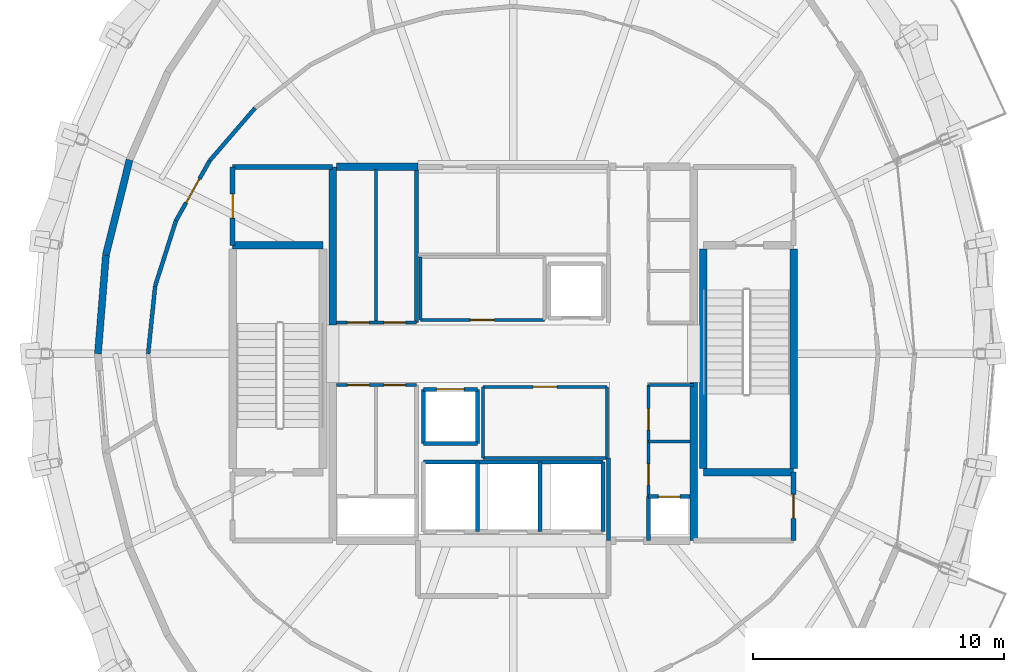
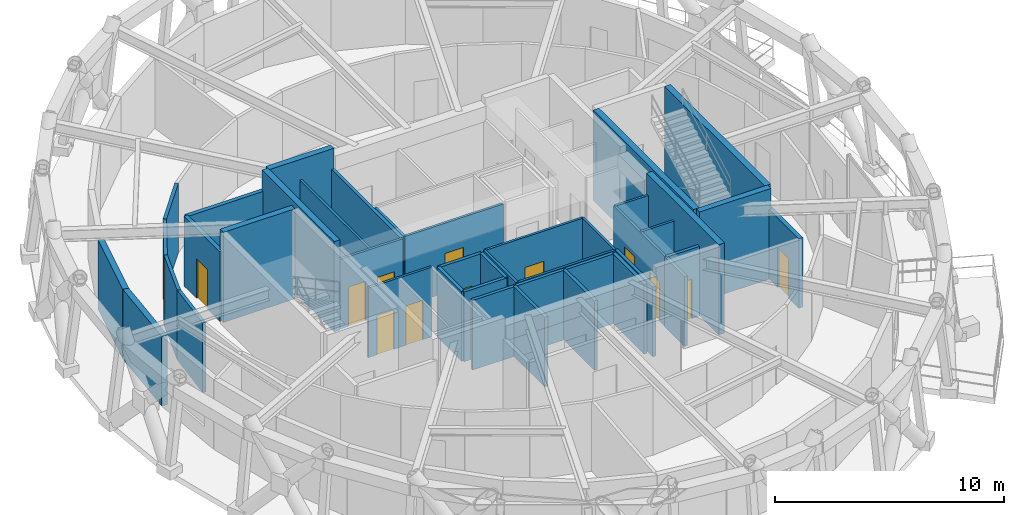
# One storey, part 8 of 11: 40 walls, 13 doors, 13 openings.
"""IFC4 building model written with IfcOpenShell, lengths in metres."""

from ifc_helpers import new_model, si_unit, direction, frame, frame_2d, origin, place, context, subcontext, project, spatial, rectangle, extrude, material, layer, layer_set, type_object, element, fill, save


model = new_model("IFC4")

# Units and contexts
model_context = context("Model", 3, precision=1e-05, world=origin(), true_north=direction((0.0, 1.0)))
body_context = subcontext(model_context, "Body", "Model", "MODEL_VIEW")
ifc_project = project(units=[si_unit("LENGTHUNIT", "METRE"), si_unit("AREAUNIT", "SQUARE_METRE"), si_unit("VOLUMEUNIT", "CUBIC_METRE"), si_unit("PLANEANGLEUNIT", "RADIAN"), si_unit("MASSUNIT", "GRAM", prefix="KILO")], contexts=[model_context])

# Site, building, storey
site_placement = place(None, origin())
site = spatial("IfcSite", under=ifc_project, at=site_placement, CompositionType="ELEMENT")
building_placement = place(site_placement, origin())
building = spatial("IfcBuilding", under=site, at=building_placement, Name="Veldorina Hangang Commons", CompositionType="ELEMENT")
storey_placement = place(building_placement, frame((0.0, 0.0, 297.60009765625)))
storey = spatial("IfcBuildingStorey", under=building, at=storey_placement, Name="L78", CompositionType="ELEMENT", Elevation=297.60009765625)

# Walls
ifc_material_1 = material(Name="Concrete C50/60", Category="concrete")
ifc_layer_1 = layer(ifc_material_1, 0.300048828125)
ifc_layer_set_1 = layer_set([ifc_layer_1], Name="Concrete C50/60")
wall_type_1 = type_object("IfcWallType", Name="CW-RC300-C50", PredefinedType="SHEAR", material=ifc_layer_set_1)
for number, where, z_axis, x_axis, name in (
    (1, (24.800048828125, 25.14990234375, 0.0), (0.0, 0.0, 1.0), (0.0, 1.0, 0.0), "L78 W north core shear wall"),
    (2, (39.199951171875, 16.550048828125, 0.0), (0.0, 0.0, 1.0), (0.0, 1.0, 0.0), "L78 E south core shear wall"),
):
    element("IfcWall", number, at=place(storey_placement, frame(where, z_axis=z_axis, x_axis=x_axis)), inside=storey, type_object=wall_type_1, Name=name, PredefinedType="SHEAR", context=body_context, shape_type="SweptSolid", body=[
        extrude(rectangle(XDim=6.300048828125, YDim=0.300048828125, at=frame_2d((3.14990234375, 0.0))), origin(), (0.0, 0.0, 1.0), 4.7998046875),
    ])
wall_1_placement = place(storey_placement, frame((24.949951171875, 31.449951171875, 0.0), z_axis=(0.0, 0.0, 1.0), x_axis=(1.0, 0.0, 0.0)))
element("IfcWall", 3, at=wall_1_placement, inside=storey, type_object=wall_type_1, Name="L78 north-west core shear wall", PredefinedType="SHEAR", context=body_context, shape_type="SweptSolid", body=[
    extrude(rectangle(XDim=3.25, YDim=0.300048828125, at=frame_2d((1.625, 0.0))), origin(), (0.0, 0.0, 1.0), 4.7998046875),
])
ifc_material_2 = material(Name="Stone Roman Travertine", Category="masonry")
ifc_layer_2 = layer(ifc_material_2, 0.280029296875)
ifc_layer_set_2 = layer_set([ifc_layer_2], Name="Stone Roman Travertine")
wall_type_2 = type_object("IfcWallType", Name="EW-TRAV-280", PredefinedType="STANDARD", material=ifc_layer_set_2)
wall_2_placement = place(storey_placement, frame((16.709716796875, 31.730224609375, 0.0), z_axis=(0.0, 0.0, 1.0), x_axis=(-0.241167143082, -0.970483595481, 0.0)))
element("IfcWall", 4, at=wall_2_placement, inside=storey, type_object=wall_type_2, Name="L78 travertine facade wall 14", PredefinedType="STANDARD", context=body_context, shape_type="SweptSolid", body=[
    extrude(rectangle(XDim=3.904541015625, YDim=0.280029296875, at=frame_2d((1.9521484375, 0.0))), origin(), (0.0, 0.0, 1.0), 3.7099609375),
])
wall_3_placement = place(storey_placement, frame((15.76806640625, 27.94091796875, 0.0), z_axis=(0.0, 0.0, 1.0), x_axis=(-0.080459393336, -0.996757887365, 0.0)))
element("IfcWall", 5, at=wall_3_placement, inside=storey, type_object=wall_type_2, Name="L78 travertine facade wall 15", PredefinedType="STANDARD", context=body_context, shape_type="SweptSolid", body=[
    extrude(rectangle(XDim=3.953857421875, YDim=0.280029296875, at=frame_2d((1.97705078125, 0.0))), origin(), (0.0, 0.0, 1.0), 3.7099609375),
])
ifc_layer_3 = layer(ifc_material_1, 0.300048828125)
ifc_layer_set_3 = layer_set([ifc_layer_3], Name="Concrete C50/60")
wall_type_3 = type_object("IfcWallType", Name="SW-STAIR-300", PredefinedType="SHEAR", material=ifc_layer_set_3)
wall_4_placement = place(storey_placement, frame((20.820068359375, 28.320068359375, 0.0), z_axis=(0.0, 0.0, 1.0), x_axis=(1.0, 0.0, 0.0)))
element("IfcWall", 6, at=wall_4_placement, inside=storey, type_object=wall_type_3, Name="L78 ST1 north stair shear wall", PredefinedType="SHEAR", context=body_context, shape_type="SweptSolid", body=[
    extrude(rectangle(XDim=3.599853515625, YDim=0.300048828125, at=frame_2d((1.7998046875, 0.0))), origin(), (0.0, 0.0, 1.0), 4.7998046875),
])
for number, where, z_axis, x_axis, name in (
    (7, (43.179931640625, 19.429931640625, 0.0), (0.0, 0.0, 1.0), (0.0, 1.0, 0.0), "L78 ST2 outer stair shear wall"),
    (8, (39.580078125, 19.429931640625, 0.0), (0.0, 0.0, 1.0), (0.0, 1.0, 0.0), "L78 ST2 inner stair shear wall"),
):
    element("IfcWall", number, at=place(storey_placement, frame(where, z_axis=z_axis, x_axis=x_axis)), inside=storey, type_object=wall_type_3, Name=name, PredefinedType="SHEAR", context=body_context, shape_type="SweptSolid", body=[
        extrude(rectangle(XDim=8.739990234375, YDim=0.300048828125, at=frame_2d((4.3701171875, 0.0))), origin(), (0.0, 0.0, 1.0), 4.7998046875),
    ])
wall_5_placement = place(storey_placement, frame((39.580078125, 19.280029296875, 0.0), z_axis=(0.0, 0.0, 1.0), x_axis=(1.0, 0.0, 0.0)))
element("IfcWall", 9, at=wall_5_placement, inside=storey, type_object=wall_type_3, Name="L78 ST2 south stair shear wall", PredefinedType="SHEAR", context=body_context, shape_type="SweptSolid", body=[
    extrude(rectangle(XDim=3.599853515625, YDim=0.300048828125, at=frame_2d((1.7998046875, 0.0))), origin(), (0.0, 0.0, 1.0), 4.7998046875),
])
ifc_material_3 = material(Name="Gypsum Fire-Rated Twin Stud Wall", Category="gypsum")
ifc_layer_4 = layer(ifc_material_3, 0.159912109375)
ifc_layer_set_4 = layer_set([ifc_layer_4], Name="Gypsum Fire-Rated Twin Stud Wall")
wall_type_4 = type_object("IfcWallType", Name="WL-FIRE-160", PredefinedType="SOLIDWALL", material=ifc_layer_set_4)
wall_6_placement = place(storey_placement, frame((35.800048828125, 16.550048828125, 0.0), z_axis=(0.0, 0.0, 1.0), x_axis=(0.0, 1.0, 0.0)))
element("IfcWall", 10, at=wall_6_placement, inside=storey, type_object=wall_type_4, Name="L78 Lift passage SW wall 009", PredefinedType="SOLIDWALL", context=body_context, shape_type="SweptSolid", body=[
    extrude(rectangle(XDim=3.300048828125, YDim=0.159912109375, at=frame_2d((1.64990234375, 0.0))), origin(), (0.0, 0.0, 1.0), 3.7099609375),
])
wall_7_placement = place(storey_placement, frame((37.39990234375, 16.550048828125, 0.0), z_axis=(0.0, 0.0, 1.0), x_axis=(0.0, 1.0, 0.0)))
element("IfcWall", 11, at=wall_7_placement, inside=storey, type_object=wall_type_4, Name="L78 Lift passage SE stub 010", PredefinedType="SOLIDWALL", context=body_context, shape_type="SweptSolid", body=[
    extrude(rectangle(XDim=1.75, YDim=0.159912109375, at=frame_2d((0.875, 0.0))), origin(), (0.0, 0.0, 1.0), 3.7099609375),
])

# Wall, opening, door
wall_8_placement = place(storey_placement, frame((28.419921875, 22.580078125, 0.0), z_axis=(0.0, 0.0, 1.0), x_axis=(1.0, 0.0, 0.0)))
wall_8 = element("IfcWall", 12, at=wall_8_placement, inside=storey, type_object=wall_type_4, Name="L78 Shuttle-high front shaft wall 019", PredefinedType="SOLIDWALL", context=body_context, shape_type="SweptSolid", body=[
    extrude(rectangle(XDim=2.16015625, YDim=0.159912109375, at=frame_2d((1.080078125, 0.0))), origin(), (0.0, 0.0, 1.0), 3.7099609375),
])
opening_1_placement = place(wall_8_placement, frame((0.530029296875, 0.0, 0.0)))
opening_1 = element("IfcOpeningElement", 13, at=opening_1_placement, cuts=wall_8, Name="Opening LD-01", PredefinedType="OPENING", context=body_context, shape_type="SweptSolid", body=[
    extrude(rectangle(XDim=1.10009765625, YDim=2.14990234375, at=frame_2d((0.550048828125, 1.074951171875))), frame((0.0, 0.08984375, 0.0), z_axis=(0.0, -1.0, 0.0), x_axis=(1.0, 0.0, 0.0)), (0.0, 0.0, 1.0), 0.179931640625),
])
ifc_material_4 = material(Name="Stainless Steel Brushed Lift Door", Category="steel")
door_type_1 = type_object("IfcDoorType", Name="DR-LIFT-1100", OperationType="SLIDING_TO_LEFT", PredefinedType="DOOR", material=ifc_material_4)
door_1_placement = place(opening_1_placement, origin())
door_1 = element("IfcDoor", 14, at=door_1_placement, inside=storey, type_object=door_type_1, Name="L78 Lift PL-H2 landing door 007", OperationType="SLIDING_TO_LEFT", OverallHeight=2.14990234375, OverallWidth=1.10009765625, PredefinedType="DOOR", context=body_context, shape_type="SweptSolid", body=[
    extrude(rectangle(XDim=1.10009765625, YDim=2.14990234375, at=frame_2d((0.550048828125, 1.074951171875))), frame((0.0, 0.02490234375, 0.0), z_axis=(0.0, -1.0, 0.0), x_axis=(1.0, 0.0, 0.0)), (0.0, 0.0, 1.0), 0.050048828125),
])
fill(opening_1, door_1)

# Walls
for number, where, z_axis, x_axis, name in (
    (15, (28.419921875, 20.419921875, 0.0), (0.0, 0.0, 1.0), (1.0, 0.0, 0.0), "L78 Shuttle-high rear shaft wall 020"),
    (16, (28.419921875, 20.419921875, 0.0), (0.0, 0.0, 1.0), (0.0, 1.0, 0.0), "L78 PL-H2 west shaft wall 021"),
    (17, (30.580078125, 20.419921875, 0.0), (0.0, 0.0, 1.0), (0.0, 1.0, 0.0), "L78 PL-H2 east shaft wall 022"),
):
    element("IfcWall", number, at=place(storey_placement, frame(where, z_axis=z_axis, x_axis=x_axis)), inside=storey, type_object=wall_type_4, Name=name, PredefinedType="SOLIDWALL", context=body_context, shape_type="SweptSolid", body=[
        extrude(rectangle(XDim=2.16015625, YDim=0.159912109375, at=frame_2d((1.080078125, 0.0))), origin(), (0.0, 0.0, 1.0), 3.7099609375),
    ])
wall_9_placement = place(storey_placement, frame((28.419921875, 19.679931640625, 0.0), z_axis=(0.0, 0.0, 1.0), x_axis=(1.0, 0.0, 0.0)))
element("IfcWall", 18, at=wall_9_placement, inside=storey, type_object=wall_type_4, Name="L78 Emergency rear shaft wall 024", PredefinedType="SOLIDWALL", context=body_context, shape_type="SweptSolid", body=[
    extrude(rectangle(XDim=7.16015625, YDim=0.159912109375, at=frame_2d((3.580078125, 0.0))), origin(), (0.0, 0.0, 1.0), 3.7099609375),
])
for number, where, z_axis, x_axis, name in (
    (19, (30.580078125, 16.919921875, 0.0), (0.0, 0.0, 1.0), (0.0, 1.0, 0.0), "L78 FFL-1 east shaft wall 026"),
    (20, (33.080078125, 16.919921875, 0.0), (0.0, 0.0, 1.0), (0.0, 1.0, 0.0), "L78 FFL-2 east shaft wall 027"),
    (21, (35.580078125, 16.919921875, 0.0), (0.0, 0.0, 1.0), (0.0, 1.0, 0.0), "L78 EVL-1 east shaft wall 028"),
):
    element("IfcWall", number, at=place(storey_placement, frame(where, z_axis=z_axis, x_axis=x_axis)), inside=storey, type_object=wall_type_4, Name=name, PredefinedType="SOLIDWALL", context=body_context, shape_type="SweptSolid", body=[
        extrude(rectangle(XDim=2.760009765625, YDim=0.159912109375, at=frame_2d((1.3798828125, 0.0))), origin(), (0.0, 0.0, 1.0), 3.7099609375),
    ])

# Wall, opening, door
wall_10_placement = place(storey_placement, frame((37.39990234375, 18.300048828125, 0.0), z_axis=(0.0, 0.0, 1.0), x_axis=(1.0, 0.0, 0.0)))
wall_10 = element("IfcWall", 22, at=wall_10_placement, inside=storey, type_object=wall_type_4, Name="L78 Plumbing riser wall 043", PredefinedType="SOLIDWALL", context=body_context, shape_type="SweptSolid", body=[
    extrude(rectangle(XDim=1.650146484375, YDim=0.159912109375, at=frame_2d((0.8251953125, 0.0))), origin(), (0.0, 0.0, 1.0), 3.7099609375),
])
opening_2_placement = place(wall_10_placement, frame((0.39501953125, 0.0, 0.0)))
opening_2 = element("IfcOpeningElement", 23, at=opening_2_placement, cuts=wall_10, Name="Opening D-01N", PredefinedType="OPENING", context=body_context, shape_type="SweptSolid", body=[
    extrude(rectangle(XDim=0.860107421875, YDim=2.10009765625, at=frame_2d((0.43017578125, 1.050048828125))), frame((0.0, 0.08984375, 0.0), z_axis=(0.0, -1.0, 0.0), x_axis=(1.0, 0.0, 0.0)), (0.0, 0.0, 1.0), 0.179931640625),
])
ifc_material_5 = material(Name="Timber Fire-Rated Core", Category="wood")
door_type_2 = type_object("IfcDoorType", Name="DR-INT-860", OperationType="SINGLE_SWING_LEFT", PredefinedType="DOOR", material=ifc_material_5)
door_2_placement = place(opening_2_placement, origin())
door_2 = element("IfcDoor", 24, at=door_2_placement, inside=storey, type_object=door_type_2, Name="L78 Plumbing riser access door 016", OperationType="SINGLE_SWING_RIGHT", OverallHeight=2.10009765625, OverallWidth=0.860107421875, PredefinedType="TRAPDOOR", context=body_context, shape_type="SweptSolid", body=[
    extrude(rectangle(XDim=0.860107421875, YDim=2.10009765625, at=frame_2d((0.43017578125, 1.050048828125))), frame((0.0, 0.02490234375, 0.0), z_axis=(0.0, -1.0, 0.0), x_axis=(1.0, 0.0, 0.0)), (0.0, 0.0, 1.0), 0.050048828125),
])
fill(opening_2, door_2)

# Walls
wall_11_placement = place(storey_placement, frame((28.14990234375, 25.25, 0.0), z_axis=(0.0, 0.0, 1.0), x_axis=(0.0, 1.0, 0.0)))
element("IfcWall", 25, at=wall_11_placement, inside=storey, type_object=wall_type_4, Name="L78 NW core inner wall 044", PredefinedType="SOLIDWALL", context=body_context, shape_type="SweptSolid", body=[
    extrude(rectangle(XDim=6.10009765625, YDim=0.159912109375, at=frame_2d((3.050048828125, 0.0))), origin(), (0.0, 0.0, 1.0), 3.7099609375),
])
wall_12_placement = place(storey_placement, frame((21.711669921875, 33.79345703125, 0.0), z_axis=(0.0, 0.0, 1.0), x_axis=(-0.652979703778, -0.757375406555, 0.0)))
element("IfcWall", 26, at=wall_12_placement, inside=storey, type_object=wall_type_4, Name="L78 Sky gallery wall 12 068", PredefinedType="SOLIDWALL", context=body_context, shape_type="SweptSolid", body=[
    extrude(rectangle(XDim=2.771240234375, YDim=0.159912109375, at=frame_2d((1.3857421875, 0.0))), origin(), (0.0, 0.0, 1.0), 3.7099609375),
])

# Wall, opening, door
wall_13_placement = place(storey_placement, frame((19.902099609375, 31.694580078125, 0.0), z_axis=(0.0, 0.0, 1.0), x_axis=(-0.48962370511, -0.871933843474, 0.0)))
wall_13 = element("IfcWall", 27, at=wall_13_placement, inside=storey, type_object=wall_type_4, Name="L78 Sky gallery wall 13 069", PredefinedType="SOLIDWALL", context=body_context, shape_type="SweptSolid", body=[
    extrude(rectangle(XDim=2.745849609375, YDim=0.159912109375, at=frame_2d((1.373046875, 0.0))), origin(), (0.0, 0.0, 1.0), 3.7099609375),
])
opening_3_placement = place(wall_13_placement, frame((0.822998046875, 0.0, 0.0)))
opening_3 = element("IfcOpeningElement", 28, at=opening_3_placement, cuts=wall_13, Name="Opening D-08", PredefinedType="OPENING", context=body_context, shape_type="SweptSolid", body=[
    extrude(rectangle(XDim=1.10009765625, YDim=2.10009765625, at=frame_2d((0.550048828125, 1.050048828125))), frame((0.0, 0.08984375, 0.0), z_axis=(0.0, -1.0, 0.0), x_axis=(1.0, 0.0, 0.0)), (0.0, 0.0, 1.0), 0.179931640625),
])
ifc_material_6 = material(Name="Steel Fire-Rated Smoke Seal", Category="steel")
door_type_3 = type_object("IfcDoorType", Name="DR-FIRE-1100", OperationType="SINGLE_SWING_RIGHT", PredefinedType="DOOR", material=ifc_material_6)
door_3_placement = place(opening_3_placement, origin())
door_3 = element("IfcDoor", 29, at=door_3_placement, inside=storey, type_object=door_type_3, Name="L78 Summit Banquet Dining Room entrance door 028", OperationType="SINGLE_SWING_RIGHT", OverallHeight=2.10009765625, OverallWidth=1.10009765625, PredefinedType="DOOR", context=body_context, shape_type="SweptSolid", body=[
    extrude(rectangle(XDim=1.10009765625, YDim=2.10009765625, at=frame_2d((0.550048828125, 1.050048828125))), frame((0.0, 0.02490234375, 0.0), z_axis=(0.0, -1.0, 0.0), x_axis=(1.0, 0.0, 0.0)), (0.0, 0.0, 1.0), 0.050048828125),
])
fill(opening_3, door_3)

# Walls
wall_14_placement = place(storey_placement, frame((18.5576171875, 29.30029296875, 0.0), z_axis=(0.0, 0.0, 1.0), x_axis=(-0.303658118342, -0.952781059407, 0.0)))
element("IfcWall", 30, at=wall_14_placement, inside=storey, type_object=wall_type_4, Name="L78 Sky gallery wall 14 070", PredefinedType="SOLIDWALL", context=body_context, shape_type="SweptSolid", body=[
    extrude(rectangle(XDim=2.72705078125, YDim=0.159912109375, at=frame_2d((1.363525390625, 0.0))), origin(), (0.0, 0.0, 1.0), 3.7099609375),
])
wall_15_placement = place(storey_placement, frame((17.7294921875, 26.701904296875, 0.0), z_axis=(0.0, 0.0, 1.0), x_axis=(-0.102911416913, -0.994690524871, 0.0)))
element("IfcWall", 31, at=wall_15_placement, inside=storey, type_object=wall_type_4, Name="L78 Sky gallery wall 15 071", PredefinedType="SOLIDWALL", context=body_context, shape_type="SweptSolid", body=[
    extrude(rectangle(XDim=2.71630859375, YDim=0.159912109375, at=frame_2d((1.358154296875, 0.0))), origin(), (0.0, 0.0, 1.0), 3.7099609375),
])

# Wall, opening, door
ifc_material_7 = material(Name="Concrete Blockwork Fire Wall C30/37", Category="masonry")
ifc_layer_5 = layer(ifc_material_7, 0.199951171875)
ifc_layer_set_5 = layer_set([ifc_layer_5], Name="Concrete Blockwork Fire Wall C30/37")
wall_type_5 = type_object("IfcWallType", Name="WL-FIRE-200", PredefinedType="SOLIDWALL", material=ifc_layer_set_5)
wall_16_placement = place(storey_placement, frame((20.820068359375, 28.320068359375, 0.0), z_axis=(0.0, 0.0, 1.0), x_axis=(0.0, 1.0, 0.0)))
wall_16 = element("IfcWall", 32, at=wall_16_placement, inside=storey, type_object=wall_type_5, Name="L78 NW core room outer wall 005", PredefinedType="SOLIDWALL", context=body_context, shape_type="SweptSolid", body=[
    extrude(rectangle(XDim=3.1298828125, YDim=0.199951171875, at=frame_2d((1.56494140625, 0.0))), origin(), (0.0, 0.0, 1.0), 3.7099609375),
])
opening_4_placement = place(wall_16_placement, frame((1.090087890625, 0.0, 0.0)))
opening_4 = element("IfcOpeningElement", 33, at=opening_4_placement, cuts=wall_16, Name="Opening D-04", PredefinedType="OPENING", context=body_context, shape_type="SweptSolid", body=[
    extrude(rectangle(XDim=0.949951171875, YDim=2.10009765625, at=frame_2d((0.47509765625, 1.050048828125))), frame((0.0, 0.10986328125, 0.0), z_axis=(0.0, -1.0, 0.0), x_axis=(1.0, 0.0, 0.0)), (0.0, 0.0, 1.0), 0.219970703125),
])
ifc_material_8 = material(Name="Timber Accessible Flush Leaf", Category="wood")
door_type_4 = type_object("IfcDoorType", Name="DR-ACC-950", OperationType="SINGLE_SWING_LEFT", PredefinedType="DOOR", material=ifc_material_8)
door_4_placement = place(opening_4_placement, origin())
door_4 = element("IfcDoor", 34, at=door_4_placement, inside=storey, type_object=door_type_4, Name="L78 NW core WC door 003", OperationType="SINGLE_SWING_LEFT", OverallHeight=2.10009765625, OverallWidth=0.949951171875, PredefinedType="DOOR", context=body_context, shape_type="SweptSolid", body=[
    extrude(rectangle(XDim=0.949951171875, YDim=2.10009765625, at=frame_2d((0.47509765625, 1.050048828125))), frame((0.0, 0.02490234375, 0.0), z_axis=(0.0, -1.0, 0.0), x_axis=(1.0, 0.0, 0.0)), (0.0, 0.0, 1.0), 0.050048828125),
])
fill(opening_4, door_4)

# Wall
wall_17_placement = place(storey_placement, frame((20.820068359375, 31.449951171875, 0.0), z_axis=(0.0, 0.0, 1.0), x_axis=(1.0, 0.0, 0.0)))
element("IfcWall", 35, at=wall_17_placement, inside=storey, type_object=wall_type_5, Name="L78 NW core room north wall 006", PredefinedType="SOLIDWALL", context=body_context, shape_type="SweptSolid", body=[
    extrude(rectangle(XDim=3.97998046875, YDim=0.199951171875, at=frame_2d((1.989990234375, 0.0))), origin(), (0.0, 0.0, 1.0), 3.7099609375),
])

# Wall, opening, door
wall_18_placement = place(storey_placement, frame((43.179931640625, 16.550048828125, 0.0), z_axis=(0.0, 0.0, 1.0), x_axis=(0.0, 1.0, 0.0)))
wall_18 = element("IfcWall", 36, at=wall_18_placement, inside=storey, type_object=wall_type_5, Name="L78 SE core room outer wall 007", PredefinedType="SOLIDWALL", context=body_context, shape_type="SweptSolid", body=[
    extrude(rectangle(XDim=2.72998046875, YDim=0.199951171875, at=frame_2d((1.364990234375, 0.0))), origin(), (0.0, 0.0, 1.0), 3.7099609375),
])
opening_5_placement = place(wall_18_placement, frame((0.889892578125, 0.0, 0.0)))
opening_5 = element("IfcOpeningElement", 37, at=opening_5_placement, cuts=wall_18, Name="Opening D-02", PredefinedType="OPENING", context=body_context, shape_type="SweptSolid", body=[
    extrude(rectangle(XDim=0.949951171875, YDim=2.10009765625, at=frame_2d((0.47509765625, 1.050048828125))), frame((0.0, 0.10986328125, 0.0), z_axis=(0.0, -1.0, 0.0), x_axis=(1.0, 0.0, 0.0)), (0.0, 0.0, 1.0), 0.219970703125),
])
ifc_material_9 = material(Name="Timber Solid Core Acoustic", Category="wood")
door_type_5 = type_object("IfcDoorType", Name="DR-INT-950", OperationType="SINGLE_SWING_LEFT", PredefinedType="DOOR", material=ifc_material_9)
door_5_placement = place(opening_5_placement, origin())
door_5 = element("IfcDoor", 38, at=door_5_placement, inside=storey, type_object=door_type_5, Name="L78 SE core WC door 004", OperationType="SINGLE_SWING_RIGHT", OverallHeight=2.10009765625, OverallWidth=0.949951171875, PredefinedType="DOOR", context=body_context, shape_type="SweptSolid", body=[
    extrude(rectangle(XDim=0.949951171875, YDim=2.10009765625, at=frame_2d((0.47509765625, 1.050048828125))), frame((0.0, 0.02490234375, 0.0), z_axis=(0.0, -1.0, 0.0), x_axis=(1.0, 0.0, 0.0)), (0.0, 0.0, 1.0), 0.050048828125),
])
fill(opening_5, door_5)

ifc_material_10 = material(Name="Gypsum Acoustic Stud Partition", Category="gypsum")
ifc_layer_6 = layer(ifc_material_10, 0.1201171875)
ifc_layer_set_6 = layer_set([ifc_layer_6], Name="Gypsum Acoustic Stud Partition")
wall_type_6 = type_object("IfcWallType", Name="WL-PART-120", PredefinedType="PARTITIONING", material=ifc_layer_set_6)
wall_19_placement = place(storey_placement, frame((28.300048828125, 25.35009765625, 0.0), z_axis=(0.0, 0.0, 1.0), x_axis=(1.0, 0.0, 0.0)))
wall_19 = element("IfcWall", 39, at=wall_19_placement, inside=storey, type_object=wall_type_6, Name="L78 Merged mid-bank south wall 033", PredefinedType="PARTITIONING", context=body_context, shape_type="SweptSolid", body=[
    extrude(rectangle(XDim=4.949951171875, YDim=0.1201171875, at=frame_2d((2.47509765625, 0.0))), origin(), (0.0, 0.0, 1.0), 3.7099609375),
])
opening_6_placement = place(wall_19_placement, frame((2.0, 0.0, 0.0)))
opening_6 = element("IfcOpeningElement", 40, at=opening_6_placement, cuts=wall_19, Name="Opening D-02", PredefinedType="OPENING", context=body_context, shape_type="SweptSolid", body=[
    extrude(rectangle(XDim=0.949951171875, YDim=2.10009765625, at=frame_2d((0.47509765625, 1.050048828125))), frame((0.0, 0.070068359375, 0.0), z_axis=(0.0, -1.0, 0.0), x_axis=(1.0, 0.0, 0.0)), (0.0, 0.0, 1.0), 0.14013671875),
])
door_6_placement = place(opening_6_placement, origin())
door_6 = element("IfcDoor", 41, at=door_6_placement, inside=storey, type_object=door_type_5, Name="L78 Quiet study room door 013", OperationType="SINGLE_SWING_LEFT", OverallHeight=2.10009765625, OverallWidth=0.949951171875, PredefinedType="DOOR", context=body_context, shape_type="SweptSolid", body=[
    extrude(rectangle(XDim=0.949951171875, YDim=2.10009765625, at=frame_2d((0.47509765625, 1.050048828125))), frame((0.0, 0.02490234375, 0.0), z_axis=(0.0, -1.0, 0.0), x_axis=(1.0, 0.0, 0.0)), (0.0, 0.0, 1.0), 0.050048828125),
])
fill(opening_6, door_6)

# Wall
wall_20_placement = place(storey_placement, frame((28.300048828125, 25.35009765625, 0.0), z_axis=(0.0, 0.0, 1.0), x_axis=(0.0, 1.0, 0.0)))
element("IfcWall", 42, at=wall_20_placement, inside=storey, type_object=wall_type_6, Name="L78 Merged mid-bank west wall 035", PredefinedType="PARTITIONING", context=body_context, shape_type="SweptSolid", body=[
    extrude(rectangle(XDim=2.5, YDim=0.1201171875, at=frame_2d((1.25, 0.0))), origin(), (0.0, 0.0, 1.0), 3.7099609375),
])

# Wall, opening, door
wall_21_placement = place(storey_placement, frame((30.800048828125, 22.679931640625, 0.0), z_axis=(0.0, 0.0, 1.0), x_axis=(1.0, 0.0, 0.0)))
wall_21 = element("IfcWall", 43, at=wall_21_placement, inside=storey, type_object=wall_type_6, Name="L78 Merged shuttle north wall 037", PredefinedType="PARTITIONING", context=body_context, shape_type="SweptSolid", body=[
    extrude(rectangle(XDim=4.949951171875, YDim=0.1201171875, at=frame_2d((2.47509765625, 0.0))), origin(), (0.0, 0.0, 1.0), 3.7099609375),
])
opening_7_placement = place(wall_21_placement, frame((2.0, 0.0, 0.0)))
opening_7 = element("IfcOpeningElement", 44, at=opening_7_placement, cuts=wall_21, Name="Opening D-02", PredefinedType="OPENING", context=body_context, shape_type="SweptSolid", body=[
    extrude(rectangle(XDim=0.949951171875, YDim=2.10009765625, at=frame_2d((0.47509765625, 1.050048828125))), frame((0.0, 0.070068359375, 0.0), z_axis=(0.0, -1.0, 0.0), x_axis=(1.0, 0.0, 0.0)), (0.0, 0.0, 1.0), 0.14013671875),
])
door_7_placement = place(opening_7_placement, origin())
door_7 = element("IfcDoor", 45, at=door_7_placement, inside=storey, type_object=door_type_5, Name="L78 Floor tea pantry door 014", OperationType="SINGLE_SWING_RIGHT", OverallHeight=2.10009765625, OverallWidth=0.949951171875, PredefinedType="DOOR", context=body_context, shape_type="SweptSolid", body=[
    extrude(rectangle(XDim=0.949951171875, YDim=2.10009765625, at=frame_2d((0.47509765625, 1.050048828125))), frame((0.0, 0.02490234375, 0.0), z_axis=(0.0, -1.0, 0.0), x_axis=(1.0, 0.0, 0.0)), (0.0, 0.0, 1.0), 0.050048828125),
])
fill(opening_7, door_7)

# Walls
wall_22_placement = place(storey_placement, frame((30.800048828125, 19.85009765625, 0.0), z_axis=(0.0, 0.0, 1.0), x_axis=(1.0, 0.0, 0.0)))
element("IfcWall", 46, at=wall_22_placement, inside=storey, type_object=wall_type_6, Name="L78 Merged shuttle south wall 038", PredefinedType="PARTITIONING", context=body_context, shape_type="SweptSolid", body=[
    extrude(rectangle(XDim=4.949951171875, YDim=0.1201171875, at=frame_2d((2.47509765625, 0.0))), origin(), (0.0, 0.0, 1.0), 3.7099609375),
])
for number, where, z_axis, x_axis, name in (
    (47, (30.800048828125, 19.85009765625, 0.0), (0.0, 0.0, 1.0), (0.0, 1.0, 0.0), "L78 Merged shuttle west wall 039"),
    (48, (35.75, 19.85009765625, 0.0), (0.0, 0.0, 1.0), (0.0, 1.0, 0.0), "L78 Merged shuttle east wall 040"),
):
    element("IfcWall", number, at=place(storey_placement, frame(where, z_axis=z_axis, x_axis=x_axis)), inside=storey, type_object=wall_type_6, Name=name, PredefinedType="PARTITIONING", context=body_context, shape_type="SweptSolid", body=[
        extrude(rectangle(XDim=2.829833984375, YDim=0.1201171875, at=frame_2d((1.4150390625, 0.0))), origin(), (0.0, 0.0, 1.0), 3.7099609375),
    ])

# Wall, openings, doors
wall_23_placement = place(storey_placement, frame((24.949951171875, 25.25, 0.0), z_axis=(0.0, 0.0, 1.0), x_axis=(1.0, 0.0, 0.0)))
wall_23 = element("IfcWall", 49, at=wall_23_placement, inside=storey, type_object=wall_type_6, Name="L78 NW service south wall 045", PredefinedType="PARTITIONING", context=body_context, shape_type="SweptSolid", body=[
    extrude(rectangle(XDim=3.199951171875, YDim=0.1201171875, at=frame_2d((1.60009765625, 0.0))), origin(), (0.0, 0.0, 1.0), 3.7099609375),
])
opening_8_placement = place(wall_23_placement, frame((0.43994140625, 0.0, 0.0)))
opening_8 = element("IfcOpeningElement", 50, at=opening_8_placement, cuts=wall_23, Name="Opening D-01", PredefinedType="OPENING", context=body_context, shape_type="SweptSolid", body=[
    extrude(rectangle(XDim=0.860107421875, YDim=2.10009765625, at=frame_2d((0.43017578125, 1.050048828125))), frame((0.0, 0.070068359375, 0.0), z_axis=(0.0, -1.0, 0.0), x_axis=(1.0, 0.0, 0.0)), (0.0, 0.0, 1.0), 0.14013671875),
])
opening_9_placement = place(wall_23_placement, frame((1.89990234375, 0.0, 0.0)))
opening_9 = element("IfcOpeningElement", 51, at=opening_9_placement, cuts=wall_23, Name="Opening D-01", PredefinedType="OPENING", context=body_context, shape_type="SweptSolid", body=[
    extrude(rectangle(XDim=0.860107421875, YDim=2.10009765625, at=frame_2d((0.43017578125, 1.050048828125))), frame((0.0, 0.070068359375, 0.0), z_axis=(0.0, -1.0, 0.0), x_axis=(1.0, 0.0, 0.0)), (0.0, 0.0, 1.0), 0.14013671875),
])
ifc_material_11 = material(Name="Timber Moisture-Resistant Core", Category="wood")
door_type_6 = type_object("IfcDoorType", Name="DR-WET-860", OperationType="SINGLE_SWING_LEFT", PredefinedType="DOOR", material=ifc_material_11)
door_8_placement = place(opening_8_placement, origin())
door_8 = element("IfcDoor", 52, at=door_8_placement, inside=storey, type_object=door_type_6, Name="L78 Linen west door 017", OperationType="SINGLE_SWING_LEFT", OverallHeight=2.10009765625, OverallWidth=0.860107421875, PredefinedType="DOOR", context=body_context, shape_type="SweptSolid", body=[
    extrude(rectangle(XDim=0.860107421875, YDim=2.10009765625, at=frame_2d((0.43017578125, 1.050048828125))), frame((0.0, 0.02490234375, 0.0), z_axis=(0.0, -1.0, 0.0), x_axis=(1.0, 0.0, 0.0)), (0.0, 0.0, 1.0), 0.050048828125),
])
fill(opening_8, door_8)
door_9_placement = place(opening_9_placement, origin())
door_9 = element("IfcDoor", 53, at=door_9_placement, inside=storey, type_object=door_type_6, Name="L78 Data closet door 018", OperationType="SINGLE_SWING_RIGHT", OverallHeight=2.10009765625, OverallWidth=0.860107421875, PredefinedType="DOOR", context=body_context, shape_type="SweptSolid", body=[
    extrude(rectangle(XDim=0.860107421875, YDim=2.10009765625, at=frame_2d((0.43017578125, 1.050048828125))), frame((0.0, 0.02490234375, 0.0), z_axis=(0.0, -1.0, 0.0), x_axis=(1.0, 0.0, 0.0)), (0.0, 0.0, 1.0), 0.050048828125),
])
fill(opening_9, door_9)

wall_24_placement = place(storey_placement, frame((24.949951171875, 22.75, 0.0), z_axis=(0.0, 0.0, 1.0), x_axis=(1.0, 0.0, 0.0)))
wall_24 = element("IfcWall", 54, at=wall_24_placement, inside=storey, type_object=wall_type_6, Name="L78 SW service north wall 046", PredefinedType="PARTITIONING", context=body_context, shape_type="SweptSolid", body=[
    extrude(rectangle(XDim=3.199951171875, YDim=0.1201171875, at=frame_2d((1.60009765625, 0.0))), origin(), (0.0, 0.0, 1.0), 3.7099609375),
])
opening_10_placement = place(wall_24_placement, frame((0.43994140625, 0.0, 0.0)))
opening_10 = element("IfcOpeningElement", 55, at=opening_10_placement, cuts=wall_24, Name="Opening D-01", PredefinedType="OPENING", context=body_context, shape_type="SweptSolid", body=[
    extrude(rectangle(XDim=0.860107421875, YDim=2.10009765625, at=frame_2d((0.43017578125, 1.050048828125))), frame((0.0, 0.070068359375, 0.0), z_axis=(0.0, -1.0, 0.0), x_axis=(1.0, 0.0, 0.0)), (0.0, 0.0, 1.0), 0.14013671875),
])
opening_11_placement = place(wall_24_placement, frame((1.89990234375, 0.0, 0.0)))
opening_11 = element("IfcOpeningElement", 56, at=opening_11_placement, cuts=wall_24, Name="Opening D-01", PredefinedType="OPENING", context=body_context, shape_type="SweptSolid", body=[
    extrude(rectangle(XDim=0.860107421875, YDim=2.10009765625, at=frame_2d((0.43017578125, 1.050048828125))), frame((0.0, 0.070068359375, 0.0), z_axis=(0.0, -1.0, 0.0), x_axis=(1.0, 0.0, 0.0)), (0.0, 0.0, 1.0), 0.14013671875),
])
door_10_placement = place(opening_10_placement, origin())
door_10 = element("IfcDoor", 57, at=door_10_placement, inside=storey, type_object=door_type_6, Name="L78 Cleaners door 019", OperationType="SINGLE_SWING_LEFT", OverallHeight=2.10009765625, OverallWidth=0.860107421875, PredefinedType="DOOR", context=body_context, shape_type="SweptSolid", body=[
    extrude(rectangle(XDim=0.860107421875, YDim=2.10009765625, at=frame_2d((0.43017578125, 1.050048828125))), frame((0.0, 0.02490234375, 0.0), z_axis=(0.0, -1.0, 0.0), x_axis=(1.0, 0.0, 0.0)), (0.0, 0.0, 1.0), 0.050048828125),
])
fill(opening_10, door_10)
door_11_placement = place(opening_11_placement, origin())
door_11 = element("IfcDoor", 58, at=door_11_placement, inside=storey, type_object=door_type_6, Name="L78 Metering door 020", OperationType="SINGLE_SWING_RIGHT", OverallHeight=2.10009765625, OverallWidth=0.860107421875, PredefinedType="DOOR", context=body_context, shape_type="SweptSolid", body=[
    extrude(rectangle(XDim=0.860107421875, YDim=2.10009765625, at=frame_2d((0.43017578125, 1.050048828125))), frame((0.0, 0.02490234375, 0.0), z_axis=(0.0, -1.0, 0.0), x_axis=(1.0, 0.0, 0.0)), (0.0, 0.0, 1.0), 0.050048828125),
])
fill(opening_11, door_11)

wall_25_placement = place(storey_placement, frame((37.39990234375, 18.300048828125, 0.0), z_axis=(0.0, 0.0, 1.0), x_axis=(0.0, 1.0, 0.0)))
wall_25 = element("IfcWall", 59, at=wall_25_placement, inside=storey, type_object=wall_type_6, Name="L78 SE strip lobby wall 049", PredefinedType="PARTITIONING", context=body_context, shape_type="SweptSolid", body=[
    extrude(rectangle(XDim=4.449951171875, YDim=0.1201171875, at=frame_2d((2.22509765625, 0.0))), origin(), (0.0, 0.0, 1.0), 3.7099609375),
])
opening_12_placement = place(wall_25_placement, frame((0.449951171875, 0.0, 0.0)))
opening_12 = element("IfcOpeningElement", 60, at=opening_12_placement, cuts=wall_25, Name="Opening D-01", PredefinedType="OPENING", context=body_context, shape_type="SweptSolid", body=[
    extrude(rectangle(XDim=0.860107421875, YDim=2.10009765625, at=frame_2d((0.43017578125, 1.050048828125))), frame((0.0, 0.070068359375, 0.0), z_axis=(0.0, -1.0, 0.0), x_axis=(1.0, 0.0, 0.0)), (0.0, 0.0, 1.0), 0.14013671875),
])
opening_13_placement = place(wall_25_placement, frame((2.64990234375, 0.0, 0.0)))
opening_13 = element("IfcOpeningElement", 61, at=opening_13_placement, cuts=wall_25, Name="Opening D-01", PredefinedType="OPENING", context=body_context, shape_type="SweptSolid", body=[
    extrude(rectangle(XDim=0.860107421875, YDim=2.10009765625, at=frame_2d((0.43017578125, 1.050048828125))), frame((0.0, 0.070068359375, 0.0), z_axis=(0.0, -1.0, 0.0), x_axis=(1.0, 0.0, 0.0)), (0.0, 0.0, 1.0), 0.14013671875),
])
door_12_placement = place(opening_12_placement, origin())
door_12 = element("IfcDoor", 62, at=door_12_placement, inside=storey, type_object=door_type_6, Name="L78 Janitor sink door 024", OperationType="SINGLE_SWING_RIGHT", OverallHeight=2.10009765625, OverallWidth=0.860107421875, PredefinedType="DOOR", context=body_context, shape_type="SweptSolid", body=[
    extrude(rectangle(XDim=0.860107421875, YDim=2.10009765625, at=frame_2d((0.43017578125, 1.050048828125))), frame((0.0, 0.02490234375, 0.0), z_axis=(0.0, -1.0, 0.0), x_axis=(1.0, 0.0, 0.0)), (0.0, 0.0, 1.0), 0.050048828125),
])
fill(opening_12, door_12)
door_13_placement = place(opening_13_placement, origin())
door_13 = element("IfcDoor", 63, at=door_13_placement, inside=storey, type_object=door_type_6, Name="L78 Fire panel door 025", OperationType="SINGLE_SWING_LEFT", OverallHeight=2.10009765625, OverallWidth=0.860107421875, PredefinedType="DOOR", context=body_context, shape_type="SweptSolid", body=[
    extrude(rectangle(XDim=0.860107421875, YDim=2.10009765625, at=frame_2d((0.43017578125, 1.050048828125))), frame((0.0, 0.02490234375, 0.0), z_axis=(0.0, -1.0, 0.0), x_axis=(1.0, 0.0, 0.0)), (0.0, 0.0, 1.0), 0.050048828125),
])
fill(opening_13, door_13)

# Walls
wall_26_placement = place(storey_placement, frame((37.39990234375, 22.75, 0.0), z_axis=(0.0, 0.0, 1.0), x_axis=(1.0, 0.0, 0.0)))
element("IfcWall", 64, at=wall_26_placement, inside=storey, type_object=wall_type_6, Name="L78 SE strip north return wall 050", PredefinedType="PARTITIONING", context=body_context, shape_type="SweptSolid", body=[
    extrude(rectangle(XDim=1.800048828125, YDim=0.1201171875, at=frame_2d((0.89990234375, 0.0))), origin(), (0.0, 0.0, 1.0), 3.7099609375),
])
wall_27_placement = place(storey_placement, frame((26.530029296875, 25.25, 0.0), z_axis=(0.0, 0.0, 1.0), x_axis=(0.0, 1.0, 0.0)))
element("IfcWall", 65, at=wall_27_placement, inside=storey, type_object=wall_type_6, Name="L78 NW vertical split 051", PredefinedType="PARTITIONING", context=body_context, shape_type="SweptSolid", body=[
    extrude(rectangle(XDim=6.10009765625, YDim=0.1201171875, at=frame_2d((3.050048828125, 0.0))), origin(), (0.0, 0.0, 1.0), 3.7099609375),
])
wall_28_placement = place(storey_placement, frame((37.39990234375, 20.5, 0.0), z_axis=(0.0, 0.0, 1.0), x_axis=(1.0, 0.0, 0.0)))
element("IfcWall", 66, at=wall_28_placement, inside=storey, type_object=wall_type_6, Name="L78 SE horizontal split 055", PredefinedType="PARTITIONING", context=body_context, shape_type="SweptSolid", body=[
    extrude(rectangle(XDim=1.650146484375, YDim=0.1201171875, at=frame_2d((0.8251953125, 0.0))), origin(), (0.0, 0.0, 1.0), 3.7099609375),
])

save(model, "model.ifc")
